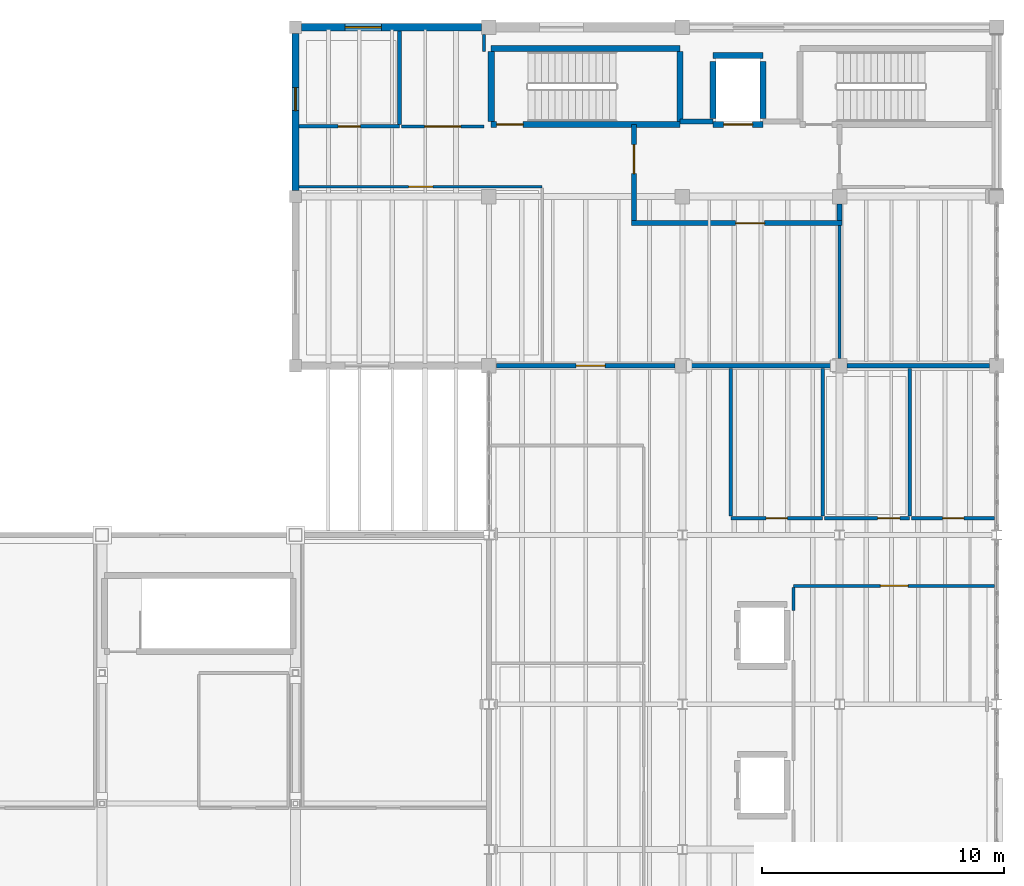
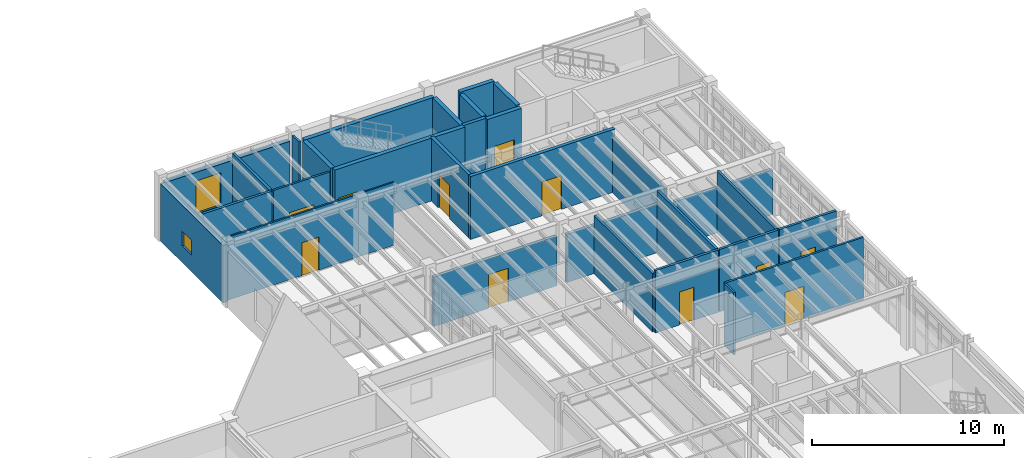
# One storey, part 68 of 78: 31 walls, 12 doors, 2 windows, 14 openings.
"""IFC4 building model written with IfcOpenShell, lengths in metres."""

from ifc_helpers import new_model, si_unit, direction, frame, frame_2d, origin, place, context, subcontext, project, spatial, rectangle, extrude, material, layer, layer_set, type_object, element, fill, save


model = new_model("IFC4")

# Units and contexts
model_context = context("Model", 3, precision=1e-05, world=origin(), true_north=direction((0.0, 1.0)))
body_context = subcontext(model_context, "Body", "Model", "MODEL_VIEW")
ifc_project = project(units=[si_unit("LENGTHUNIT", "METRE"), si_unit("AREAUNIT", "SQUARE_METRE"), si_unit("VOLUMEUNIT", "CUBIC_METRE"), si_unit("PLANEANGLEUNIT", "RADIAN"), si_unit("MASSUNIT", "GRAM", prefix="KILO"), si_unit("THERMODYNAMICTEMPERATUREUNIT", "KELVIN"), si_unit("POWERUNIT", "WATT")], contexts=[model_context])

# Site, building, storey
site_placement = place(None, origin())
site = spatial("IfcSite", under=ifc_project, at=site_placement, CompositionType="ELEMENT")
building_placement = place(site_placement, origin())
building = spatial("IfcBuilding", under=site, at=building_placement, Name="Zhenchuan Central Fire Station", CompositionType="ELEMENT")
storey_placement = place(building_placement, frame((0.0, 0.0, 5.85009765625)))
storey = spatial("IfcBuildingStorey", under=building, at=storey_placement, Name="L02", CompositionType="ELEMENT", Elevation=5.85009765625)

# Wall, opening, window
ifc_material_1 = material(Name="Sintered clay brick masonry MU15", Category="masonry")
ifc_layer_1 = layer(ifc_material_1, 0.300048828125, Name="Sintered clay brick masonry MU15", Category="masonry")
ifc_layer_set_1 = layer_set([ifc_layer_1], Name="Sintered clay brick masonry MU15")
wall_type_1 = type_object("IfcWallType", Name="EW-BRK300", PredefinedType="SOLIDWALL", material=ifc_layer_set_1)
wall_1_placement = place(storey_placement, frame((132.25, 56.5, 0.0), z_axis=(0.0, 0.0, 1.0), x_axis=(1.0, 0.0, 0.0)))
wall_1 = element("IfcWall", 1, at=wall_1_placement, inside=storey, type_object=wall_type_1, Name="EW-L02-V6N-0", PredefinedType="SOLIDWALL", context=body_context, shape_type="SweptSolid", body=[
    extrude(rectangle(XDim=7.449951171875, YDim=0.300048828125, at=frame_2d((3.72509765625, 0.0))), origin(), (0.0, 0.0, 1.0), 3.5439453125),
])
opening_1_placement = place(wall_1_placement, frame((1.800048828125, 0.0, 0.89990234375)))
opening_1 = element("IfcOpeningElement", 2, at=opening_1_placement, cuts=wall_1, Name="Opening W-34", PredefinedType="OPENING", context=body_context, shape_type="SweptSolid", body=[
    extrude(rectangle(XDim=1.5, YDim=2.10009765625, at=frame_2d((0.75, 1.050048828125))), frame((0.0, 0.159912109375, 0.0), z_axis=(0.0, -1.0, 0.0), x_axis=(1.0, 0.0, 0.0)), (0.0, 0.0, 1.0), 0.320068359375),
])
ifc_material_2 = material(Name="Laminated low-E double glazing in aluminium frame", Category="aluminium")
window_type_1 = type_object("IfcWindowType", Name="WN-34", PartitioningType="SINGLE_PANEL", PredefinedType="WINDOW", material=ifc_material_2)
window_1_placement = place(opening_1_placement, origin())
window_1 = element("IfcWindow", 3, at=window_1_placement, inside=storey, type_object=window_type_1, Name="Exterior Window 0106", OverallHeight=2.10009765625, OverallWidth=1.5, PartitioningType="SINGLE_PANEL", PredefinedType="WINDOW", context=body_context, shape_type="SweptSolid", body=[
    extrude(rectangle(XDim=1.5, YDim=2.10009765625, at=frame_2d((0.75, 1.050048828125))), frame((0.0, 0.030029296875, 0.0), z_axis=(0.0, -1.0, 0.0), x_axis=(1.0, 0.0, 0.0)), (0.0, 0.0, 1.0), 0.06005859375),
])
fill(opening_1, window_1)

wall_2_placement = place(storey_placement, frame((132.0, 49.75, 0.0), z_axis=(0.0, 0.0, 1.0), x_axis=(0.0, 1.0, 0.0)))
wall_2 = element("IfcWall", 4, at=wall_2_placement, inside=storey, type_object=wall_type_1, Name="EW-L02-V6W-1", PredefinedType="SOLIDWALL", context=body_context, shape_type="SweptSolid", body=[
    extrude(rectangle(XDim=6.5, YDim=0.300048828125, at=frame_2d((3.25, 0.0))), origin(), (0.0, 0.0, 1.0), 3.65380859375),
])
opening_2_placement = place(wall_2_placement, frame((3.300048828125, 0.0, 1.050048828125)))
opening_2 = element("IfcOpeningElement", 5, at=opening_2_placement, cuts=wall_2, Name="Opening W-04", PredefinedType="OPENING", context=body_context, shape_type="SweptSolid", body=[
    extrude(rectangle(XDim=0.949951171875, YDim=0.949951171875, at=frame_2d((0.47509765625, 0.47509765625))), frame((0.0, 0.159912109375, 0.0), z_axis=(0.0, -1.0, 0.0), x_axis=(1.0, 0.0, 0.0)), (0.0, 0.0, 1.0), 0.320068359375),
])
window_type_2 = type_object("IfcWindowType", Name="WN-04", PartitioningType="SINGLE_PANEL", PredefinedType="WINDOW", material=ifc_material_2)
window_2_placement = place(opening_2_placement, origin())
window_2 = element("IfcWindow", 6, at=window_2_placement, inside=storey, type_object=window_type_2, Name="Exterior Window 0111", OverallHeight=0.949951171875, OverallWidth=0.949951171875, PartitioningType="SINGLE_PANEL", PredefinedType="WINDOW", context=body_context, shape_type="SweptSolid", body=[
    extrude(rectangle(XDim=0.949951171875, YDim=0.949951171875, at=frame_2d((0.47509765625, 0.47509765625))), frame((0.0, 0.030029296875, 0.0), z_axis=(0.0, -1.0, 0.0), x_axis=(1.0, 0.0, 0.0)), (0.0, 0.0, 1.0), 0.06005859375),
])
fill(opening_2, window_2)

# Wall, opening, door
ifc_material_3 = material(Name="Autoclaved aerated concrete blockwork", Category="masonry")
ifc_layer_2 = layer(ifc_material_3, 0.14990234375, Name="Autoclaved aerated concrete blockwork", Category="masonry")
ifc_layer_set_2 = layer_set([ifc_layer_2], Name="Autoclaved aerated concrete blockwork")
wall_type_2 = type_object("IfcWallType", Name="IW-BLK150", PredefinedType="PARTITIONING", material=ifc_layer_set_2)
wall_3_placement = place(storey_placement, frame((150.0, 36.199951171875, 0.0), z_axis=(0.0, 0.0, 1.0), x_axis=(1.0, 0.0, 0.0)))
wall_3 = element("IfcWall", 7, at=wall_3_placement, inside=storey, type_object=wall_type_2, Name="Administration Male WC S Partition", PredefinedType="PARTITIONING", context=body_context, shape_type="SweptSolid", body=[
    extrude(rectangle(XDim=3.800048828125, YDim=0.14990234375, at=frame_2d((1.89990234375, 0.0))), origin(), (0.0, 0.0, 1.0), 3.9599609375),
])
opening_3_placement = place(wall_3_placement, frame((1.4599609375, 0.0, 0.0)))
opening_3 = element("IfcOpeningElement", 8, at=opening_3_placement, cuts=wall_3, Name="Opening D-146", PredefinedType="OPENING", context=body_context, shape_type="SweptSolid", body=[
    extrude(rectangle(XDim=0.8798828125, YDim=2.10009765625, at=frame_2d((0.43994140625, 1.050048828125))), frame((0.0, 0.0849609375, 0.0), z_axis=(0.0, -1.0, 0.0), x_axis=(1.0, 0.0, 0.0)), (0.0, 0.0, 1.0), 0.169921875),
])
ifc_material_4 = material(Name="Moisture-resistant washroom door")
door_type_1 = type_object("IfcDoorType", Name="ID-WC-088x210", OperationType="NOTDEFINED", PredefinedType="DOOR", material=ifc_material_4)
door_1_placement = place(opening_3_placement, origin())
door_1 = element("IfcDoor", 9, at=door_1_placement, inside=storey, type_object=door_type_1, Name="Administration Male WC Door", OperationType="SINGLE_SWING_RIGHT", OverallHeight=2.10009765625, OverallWidth=0.8798828125, PredefinedType="DOOR", context=body_context, shape_type="SweptSolid", body=[
    extrude(rectangle(XDim=0.8798828125, YDim=2.10009765625, at=frame_2d((0.43994140625, 1.050048828125))), frame((0.0, 0.02490234375, 0.0), z_axis=(0.0, -1.0, 0.0), x_axis=(1.0, 0.0, 0.0)), (0.0, 0.0, 1.0), 0.050048828125),
])
fill(opening_3, door_1)

# Walls
wall_4_placement = place(storey_placement, frame((150.0, 36.278076171875, 0.0), z_axis=(0.0, 0.0, 1.0), x_axis=(0.0, 1.0, 0.0)))
element("IfcWall", 10, at=wall_4_placement, inside=storey, type_object=wall_type_2, Name="Administration Male WC W Partition", PredefinedType="PARTITIONING", context=body_context, shape_type="SweptSolid", body=[
    extrude(rectangle(XDim=6.118896484375, YDim=0.14990234375, at=frame_2d((3.0595703125, 0.0))), origin(), (0.0, 0.0, 1.0), 3.7099609375),
])
wall_5_placement = place(storey_placement, frame((153.800048828125, 36.278076171875, 0.0), z_axis=(0.0, 0.0, 1.0), x_axis=(0.0, 1.0, 0.0)))
element("IfcWall", 11, at=wall_5_placement, inside=storey, type_object=wall_type_2, Name="Administration Male WC E Partition", PredefinedType="PARTITIONING", context=body_context, shape_type="SweptSolid", body=[
    extrude(rectangle(XDim=6.118896484375, YDim=0.14990234375, at=frame_2d((3.0595703125, 0.0))), origin(), (0.0, 0.0, 1.0), 3.9599609375),
])

# Wall, opening, door
wall_6_placement = place(storey_placement, frame((153.8779296875, 36.199951171875, 0.0), z_axis=(0.0, 0.0, 1.0), x_axis=(1.0, 0.0, 0.0)))
wall_6 = element("IfcWall", 12, at=wall_6_placement, inside=storey, type_object=wall_type_2, Name="Administration Female WC S Partition", PredefinedType="PARTITIONING", context=body_context, shape_type="SweptSolid", body=[
    extrude(rectangle(XDim=3.52197265625, YDim=0.14990234375, at=frame_2d((1.760986328125, 0.0))), origin(), (0.0, 0.0, 1.0), 3.9599609375),
])
opening_4_placement = place(wall_6_placement, frame((2.200927734375, 0.0, 0.0)))
opening_4 = element("IfcOpeningElement", 13, at=opening_4_placement, cuts=wall_6, Name="Opening D-147", PredefinedType="OPENING", context=body_context, shape_type="SweptSolid", body=[
    extrude(rectangle(XDim=0.919921875, YDim=2.10009765625, at=frame_2d((0.4599609375, 1.050048828125))), frame((0.0, 0.0849609375, 0.0), z_axis=(0.0, -1.0, 0.0), x_axis=(1.0, 0.0, 0.0)), (0.0, 0.0, 1.0), 0.169921875),
])
ifc_material_5 = material(Name="Moisture-resistant accessible WC door")
door_type_2 = type_object("IfcDoorType", Name="ID-WC-092x210", OperationType="NOTDEFINED", PredefinedType="DOOR", material=ifc_material_5)
door_2_placement = place(opening_4_placement, origin())
door_2 = element("IfcDoor", 14, at=door_2_placement, inside=storey, type_object=door_type_2, Name="Administration Female WC Door", OperationType="SINGLE_SWING_LEFT", OverallHeight=2.10009765625, OverallWidth=0.919921875, PredefinedType="DOOR", context=body_context, shape_type="SweptSolid", body=[
    extrude(rectangle(XDim=0.919921875, YDim=2.10009765625, at=frame_2d((0.4599609375, 1.050048828125))), frame((0.0, 0.02490234375, 0.0), z_axis=(0.0, -1.0, 0.0), x_axis=(1.0, 0.0, 0.0)), (0.0, 0.0, 1.0), 0.050048828125),
])
fill(opening_4, door_2)

# Wall
wall_7_placement = place(storey_placement, frame((157.39990234375, 36.278076171875, 0.0), z_axis=(0.0, 0.0, 1.0), x_axis=(0.0, 1.0, 0.0)))
element("IfcWall", 15, at=wall_7_placement, inside=storey, type_object=wall_type_2, Name="Administration Female WC E Partition", PredefinedType="PARTITIONING", context=body_context, shape_type="SweptSolid", body=[
    extrude(rectangle(XDim=6.118896484375, YDim=0.14990234375, at=frame_2d((3.0595703125, 0.0))), origin(), (0.0, 0.0, 1.0), 3.9599609375),
])

# Wall, opening, door
wall_8_placement = place(storey_placement, frame((157.47802734375, 36.199951171875, 0.0), z_axis=(0.0, 0.0, 1.0), x_axis=(1.0, 0.0, 0.0)))
wall_8 = element("IfcWall", 16, at=wall_8_placement, inside=storey, type_object=wall_type_2, Name="Administration Accessible WC S Partition", PredefinedType="PARTITIONING", context=body_context, shape_type="SweptSolid", body=[
    extrude(rectangle(XDim=3.43896484375, YDim=0.14990234375, at=frame_2d((1.719482421875, 0.0))), origin(), (0.0, 0.0, 1.0), 3.9599609375),
])
opening_5_placement = place(wall_8_placement, frame((1.279541015625, 0.0, 0.0)))
opening_5 = element("IfcOpeningElement", 17, at=opening_5_placement, cuts=wall_8, Name="Opening D-148", PredefinedType="OPENING", context=body_context, shape_type="SweptSolid", body=[
    extrude(rectangle(XDim=0.8798828125, YDim=2.10009765625, at=frame_2d((0.43994140625, 1.050048828125))), frame((0.0, 0.0849609375, 0.0), z_axis=(0.0, -1.0, 0.0), x_axis=(1.0, 0.0, 0.0)), (0.0, 0.0, 1.0), 0.169921875),
])
door_3_placement = place(opening_5_placement, origin())
door_3 = element("IfcDoor", 18, at=door_3_placement, inside=storey, type_object=door_type_1, Name="Administration Accessible WC Door", OperationType="SINGLE_SWING_RIGHT", OverallHeight=2.10009765625, OverallWidth=0.8798828125, PredefinedType="DOOR", context=body_context, shape_type="SweptSolid", body=[
    extrude(rectangle(XDim=0.8798828125, YDim=2.10009765625, at=frame_2d((0.43994140625, 1.050048828125))), frame((0.0, 0.02490234375, 0.0), z_axis=(0.0, -1.0, 0.0), x_axis=(1.0, 0.0, 0.0)), (0.0, 0.0, 1.0), 0.050048828125),
])
fill(opening_5, door_3)

wall_9_placement = place(storey_placement, frame((132.153076171875, 52.39990234375, 0.0), z_axis=(0.0, 0.0, 1.0), x_axis=(1.0, 0.0, 0.0)))
wall_9 = element("IfcWall", 19, at=wall_9_placement, inside=storey, type_object=wall_type_2, Name="Drill Tower Accessible WC L02 S Partition", PredefinedType="PARTITIONING", context=body_context, shape_type="SweptSolid", body=[
    extrude(rectangle(XDim=4.14697265625, YDim=0.14990234375, at=frame_2d((2.073486328125, 0.0))), origin(), (0.0, 0.0, 1.0), 4.0),
])
opening_6_placement = place(wall_9_placement, frame((1.613525390625, 0.0, 0.0)))
opening_6 = element("IfcOpeningElement", 20, at=opening_6_placement, cuts=wall_9, Name="Opening D-151", PredefinedType="OPENING", context=body_context, shape_type="SweptSolid", body=[
    extrude(rectangle(XDim=0.919921875, YDim=2.10009765625, at=frame_2d((0.4599609375, 1.050048828125))), frame((0.0, 0.0849609375, 0.0), z_axis=(0.0, -1.0, 0.0), x_axis=(1.0, 0.0, 0.0)), (0.0, 0.0, 1.0), 0.169921875),
])
door_4_placement = place(opening_6_placement, origin())
door_4 = element("IfcDoor", 21, at=door_4_placement, inside=storey, type_object=door_type_2, Name="Drill Tower Accessible WC L02 Door", OperationType="SINGLE_SWING_LEFT", OverallHeight=2.10009765625, OverallWidth=0.919921875, PredefinedType="DOOR", context=body_context, shape_type="SweptSolid", body=[
    extrude(rectangle(XDim=0.919921875, YDim=2.10009765625, at=frame_2d((0.4599609375, 1.050048828125))), frame((0.0, 0.02490234375, 0.0), z_axis=(0.0, -1.0, 0.0), x_axis=(1.0, 0.0, 0.0)), (0.0, 0.0, 1.0), 0.050048828125),
])
fill(opening_6, door_4)

# Wall
wall_10_placement = place(storey_placement, frame((136.300048828125, 52.47802734375, 0.0), z_axis=(0.0, 0.0, 1.0), x_axis=(0.0, 1.0, 0.0)))
element("IfcWall", 22, at=wall_10_placement, inside=storey, type_object=wall_type_2, Name="Drill Tower Accessible WC L02 E Partition", PredefinedType="PARTITIONING", context=body_context, shape_type="SweptSolid", body=[
    extrude(rectangle(XDim=3.868896484375, YDim=0.14990234375, at=frame_2d((1.9345703125, 0.0))), origin(), (0.0, 0.0, 1.0), 4.0),
])

# Wall, opening, door
ifc_layer_3 = layer(ifc_material_3, 0.199951171875, Name="Autoclaved aerated concrete blockwork", Category="masonry")
ifc_layer_set_3 = layer_set([ifc_layer_3], Name="Autoclaved aerated concrete blockwork")
wall_type_3 = type_object("IfcWallType", Name="IW-FIR200", PredefinedType="PARTITIONING", material=ifc_layer_set_3)
wall_11_placement = place(storey_placement, frame((140.302001953125, 42.5, 0.0), z_axis=(0.0, 0.0, 1.0), x_axis=(1.0, 0.0, 0.0)))
wall_11 = element("IfcWall", 23, at=wall_11_placement, inside=storey, type_object=wall_type_3, Name="L02 HQ-Tower Fire Compartment Wall X=140.0..148.0", PredefinedType="PARTITIONING", context=body_context, shape_type="SweptSolid", body=[
    extrude(rectangle(XDim=7.39599609375, YDim=0.199951171875, at=frame_2d((3.697998046875, 0.0))), origin(), (0.0, 0.0, 1.0), 3.15380859375),
])
opening_7_placement = place(wall_11_placement, frame((3.298095703125, 0.0, 0.0)))
opening_7 = element("IfcOpeningElement", 24, at=opening_7_placement, cuts=wall_11, Name="Opening D-045", PredefinedType="OPENING", context=body_context, shape_type="SweptSolid", body=[
    extrude(rectangle(XDim=1.199951171875, YDim=2.14990234375, at=frame_2d((0.60009765625, 1.074951171875))), frame((0.0, 0.10986328125, 0.0), z_axis=(0.0, -1.0, 0.0), x_axis=(1.0, 0.0, 0.0)), (0.0, 0.0, 1.0), 0.219970703125),
])
ifc_material_6 = material(Name="Smoke-sealed steel fire lobby door", Category="steel")
door_type_3 = type_object("IfcDoorType", Name="ID-FFL-120x215", OperationType="NOTDEFINED", PredefinedType="DOOR", material=ifc_material_6)
door_5_placement = place(opening_7_placement, origin())
door_5 = element("IfcDoor", 25, at=door_5_placement, inside=storey, type_object=door_type_3, Name="V2-V6 L02 Link Fire Door", OperationType="SINGLE_SWING_LEFT", OverallHeight=2.14990234375, OverallWidth=1.199951171875, PredefinedType="DOOR", context=body_context, shape_type="SweptSolid", body=[
    extrude(rectangle(XDim=1.199951171875, YDim=2.14990234375, at=frame_2d((0.60009765625, 1.074951171875))), frame((0.0, 0.02490234375, 0.0), z_axis=(0.0, -1.0, 0.0), x_axis=(1.0, 0.0, 0.0)), (0.0, 0.0, 1.0), 0.050048828125),
])
fill(opening_7, door_5)

# Walls
wall_12_placement = place(storey_placement, frame((148.302001953125, 42.5, 0.0), z_axis=(0.0, 0.0, 1.0), x_axis=(1.0, 0.0, 0.0)))
element("IfcWall", 26, at=wall_12_placement, inside=storey, type_object=wall_type_3, Name="L02 HQ-Tower Fire Compartment Wall X=148.0..154.5", PredefinedType="PARTITIONING", context=body_context, shape_type="SweptSolid", body=[
    extrude(rectangle(XDim=5.89599609375, YDim=0.199951171875, at=frame_2d((2.947998046875, 0.0))), origin(), (0.0, 0.0, 1.0), 3.053955078125),
])
wall_13_placement = place(storey_placement, frame((154.802001953125, 42.5, 0.0), z_axis=(0.0, 0.0, 1.0), x_axis=(1.0, 0.0, 0.0)))
element("IfcWall", 27, at=wall_13_placement, inside=storey, type_object=wall_type_3, Name="L02 HQ-Tower Fire Compartment Wall X=154.5..161.0", PredefinedType="PARTITIONING", context=body_context, shape_type="SweptSolid", body=[
    extrude(rectangle(XDim=5.89599609375, YDim=0.199951171875, at=frame_2d((2.947998046875, 0.0))), origin(), (0.0, 0.0, 1.0), 2.85400390625),
])
wall_14_placement = place(storey_placement, frame((147.908935546875, 52.60009765625, 0.0), z_axis=(0.0, 0.0, 1.0), x_axis=(1.0, 0.0, 0.0)))
element("IfcWall", 28, at=wall_14_placement, inside=storey, type_object=wall_type_3, Name="L02 Firefighting Lobby North-West Infill Wall", PredefinedType="PARTITIONING", context=body_context, shape_type="SweptSolid", body=[
    extrude(rectangle(XDim=1.362060546875, YDim=0.199951171875, at=frame_2d((0.68115234375, 0.0))), origin(), (0.0, 0.0, 1.0), 4.0),
])

# Wall, opening, door
wall_15_placement = place(storey_placement, frame((145.89990234375, 48.39990234375, 0.0), z_axis=(0.0, 0.0, 1.0), x_axis=(1.0, 0.0, 0.0)))
wall_15 = element("IfcWall", 29, at=wall_15_placement, inside=storey, type_object=wall_type_3, Name="L02 Firefighting Lift Lobby South Wall", PredefinedType="PARTITIONING", context=body_context, shape_type="SweptSolid", body=[
    extrude(rectangle(XDim=8.7001953125, YDim=0.199951171875, at=frame_2d((4.35009765625, 0.0))), origin(), (0.0, 0.0, 1.0), 4.0),
])
opening_8_placement = place(wall_15_placement, frame((4.300048828125, 0.0, 0.0)))
opening_8 = element("IfcOpeningElement", 30, at=opening_8_placement, cuts=wall_15, Name="Opening D-051", PredefinedType="OPENING", context=body_context, shape_type="SweptSolid", body=[
    extrude(rectangle(XDim=1.199951171875, YDim=2.14990234375, at=frame_2d((0.60009765625, 1.074951171875))), frame((0.0, 0.10986328125, 0.0), z_axis=(0.0, -1.0, 0.0), x_axis=(1.0, 0.0, 0.0)), (0.0, 0.0, 1.0), 0.219970703125),
])
door_6_placement = place(opening_8_placement, origin())
door_6 = element("IfcDoor", 31, at=door_6_placement, inside=storey, type_object=door_type_3, Name="L02 Firefighting Lift Lobby South Door", OperationType="SINGLE_SWING_LEFT", OverallHeight=2.14990234375, OverallWidth=1.199951171875, PredefinedType="DOOR", context=body_context, shape_type="SweptSolid", body=[
    extrude(rectangle(XDim=1.199951171875, YDim=2.14990234375, at=frame_2d((0.60009765625, 1.074951171875))), frame((0.0, 0.02490234375, 0.0), z_axis=(0.0, -1.0, 0.0), x_axis=(1.0, 0.0, 0.0)), (0.0, 0.0, 1.0), 0.050048828125),
])
fill(opening_8, door_6)

wall_16_placement = place(storey_placement, frame((146.0, 48.50390625, 0.0), z_axis=(0.0, 0.0, 1.0), x_axis=(0.0, 1.0, 0.0)))
wall_16 = element("IfcWall", 32, at=wall_16_placement, inside=storey, type_object=wall_type_3, Name="L02 Firefighting Lift Lobby West Wall", PredefinedType="PARTITIONING", context=body_context, shape_type="SweptSolid", body=[
    extrude(rectangle(XDim=3.967041015625, YDim=0.199951171875, at=frame_2d((1.9833984375, 0.0))), origin(), (0.0, 0.0, 1.0), 4.0),
])
opening_9_placement = place(wall_16_placement, frame((1.946044921875, 0.0, 0.0)))
opening_9 = element("IfcOpeningElement", 33, at=opening_9_placement, cuts=wall_16, Name="Opening D-052", PredefinedType="OPENING", context=body_context, shape_type="SweptSolid", body=[
    extrude(rectangle(XDim=1.199951171875, YDim=2.14990234375, at=frame_2d((0.60009765625, 1.074951171875))), frame((0.0, 0.10986328125, 0.0), z_axis=(0.0, -1.0, 0.0), x_axis=(1.0, 0.0, 0.0)), (0.0, 0.0, 1.0), 0.219970703125),
])
door_7_placement = place(opening_9_placement, origin())
door_7 = element("IfcDoor", 34, at=door_7_placement, inside=storey, type_object=door_type_3, Name="L02 Firefighting Lift Lobby West Door", OperationType="SINGLE_SWING_RIGHT", OverallHeight=2.14990234375, OverallWidth=1.199951171875, PredefinedType="DOOR", context=body_context, shape_type="SweptSolid", body=[
    extrude(rectangle(XDim=1.199951171875, YDim=2.14990234375, at=frame_2d((0.60009765625, 1.074951171875))), frame((0.0, 0.02490234375, 0.0), z_axis=(0.0, -1.0, 0.0), x_axis=(1.0, 0.0, 0.0)), (0.0, 0.0, 1.0), 0.050048828125),
])
fill(opening_9, door_7)

# Wall
wall_17_placement = place(storey_placement, frame((154.5, 48.50390625, 0.0), z_axis=(0.0, 0.0, 1.0), x_axis=(0.0, 1.0, 0.0)))
element("IfcWall", 35, at=wall_17_placement, inside=storey, type_object=wall_type_3, Name="L02 Firefighting Lift Lobby South-East Pier Wall", PredefinedType="PARTITIONING", context=body_context, shape_type="SweptSolid", body=[
    extrude(rectangle(XDim=0.692138671875, YDim=0.199951171875, at=frame_2d((0.34619140625, 0.0))), origin(), (0.0, 0.0, 1.0), 3.56396484375),
])

# Wall, opening, door
ifc_material_7 = material(Name="Gypsum plasterboard on steel studs", Category="gypsum")
ifc_layer_4 = layer(ifc_material_7, 0.10009765625, Name="Gypsum plasterboard on steel studs", Category="gypsum")
ifc_layer_set_4 = layer_set([ifc_layer_4], Name="Gypsum plasterboard on steel studs")
wall_type_4 = type_object("IfcWallType", Name="IW-GYP100", PredefinedType="PARTITIONING", material=ifc_layer_set_4)
wall_18_placement = place(storey_placement, frame((132.153076171875, 49.89990234375, 0.0), z_axis=(0.0, 0.0, 1.0), x_axis=(1.0, 0.0, 0.0)))
wall_18 = element("IfcWall", 36, at=wall_18_placement, inside=storey, type_object=wall_type_4, Name="Forcible Entry Training Room N Partition", PredefinedType="PARTITIONING", context=body_context, shape_type="SweptSolid", body=[
    extrude(rectangle(XDim=10.046875, YDim=0.10009765625, at=frame_2d((5.0234375, 0.0))), origin(), (0.0, 0.0, 1.0), 4.0),
])
opening_10_placement = place(wall_18_placement, frame((4.5234375, 0.0, 0.0)))
opening_10 = element("IfcOpeningElement", 37, at=opening_10_placement, cuts=wall_18, Name="Opening D-149", PredefinedType="OPENING", context=body_context, shape_type="SweptSolid", body=[
    extrude(rectangle(XDim=1.0, YDim=2.10009765625, at=frame_2d((0.5, 1.050048828125))), frame((0.0, 0.06005859375, 0.0), z_axis=(0.0, -1.0, 0.0), x_axis=(1.0, 0.0, 0.0)), (0.0, 0.0, 1.0), 0.1201171875),
])
ifc_material_8 = material(Name="Solid-core timber office door", Category="wood")
door_type_4 = type_object("IfcDoorType", Name="ID-OFF-100x210", OperationType="NOTDEFINED", PredefinedType="DOOR", material=ifc_material_8)
door_8_placement = place(opening_10_placement, origin())
door_8 = element("IfcDoor", 38, at=door_8_placement, inside=storey, type_object=door_type_4, Name="Forcible Entry Training Room Door", OperationType="SINGLE_SWING_LEFT", OverallHeight=2.10009765625, OverallWidth=1.0, PredefinedType="DOOR", context=body_context, shape_type="SweptSolid", body=[
    extrude(rectangle(XDim=1.0, YDim=2.10009765625, at=frame_2d((0.5, 1.050048828125))), frame((0.0, 0.02490234375, 0.0), z_axis=(0.0, -1.0, 0.0), x_axis=(1.0, 0.0, 0.0)), (0.0, 0.0, 1.0), 0.050048828125),
])
fill(opening_10, door_8)

ifc_layer_5 = layer(ifc_material_7, 0.1201171875, Name="Gypsum plasterboard on steel studs", Category="gypsum")
ifc_layer_set_5 = layer_set([ifc_layer_5], Name="Gypsum plasterboard on steel studs")
wall_type_5 = type_object("IfcWallType", Name="IW-GYP120", PredefinedType="PARTITIONING", material=ifc_layer_set_5)
wall_19_placement = place(storey_placement, frame((152.60009765625, 33.39990234375, 0.0), z_axis=(0.0, 0.0, 1.0), x_axis=(1.0, 0.0, 0.0)))
wall_19 = element("IfcWall", 39, at=wall_19_placement, inside=storey, type_object=wall_type_5, Name="Staff Briefing Room N Partition", PredefinedType="PARTITIONING", context=body_context, shape_type="SweptSolid", body=[
    extrude(rectangle(XDim=8.31689453125, YDim=0.1201171875, at=frame_2d((4.158447265625, 0.0))), origin(), (0.0, 0.0, 1.0), 3.9599609375),
])
opening_11_placement = place(wall_19_placement, frame((3.58349609375, 0.0, 0.0)))
opening_11 = element("IfcOpeningElement", 40, at=opening_11_placement, cuts=wall_19, Name="Opening D-145", PredefinedType="OPENING", context=body_context, shape_type="SweptSolid", body=[
    extrude(rectangle(XDim=1.14990234375, YDim=2.10009765625, at=frame_2d((0.574951171875, 1.050048828125))), frame((0.0, 0.070068359375, 0.0), z_axis=(0.0, -1.0, 0.0), x_axis=(1.0, 0.0, 0.0)), (0.0, 0.0, 1.0), 0.14013671875),
])
ifc_material_9 = material(Name="Glazed vision-panel classroom door")
door_type_5 = type_object("IfcDoorType", Name="ID-CLS-115x210", OperationType="NOTDEFINED", PredefinedType="DOOR", material=ifc_material_9)
door_9_placement = place(opening_11_placement, origin())
door_9 = element("IfcDoor", 41, at=door_9_placement, inside=storey, type_object=door_type_5, Name="Staff Briefing Room Door", OperationType="SINGLE_SWING_LEFT", OverallHeight=2.10009765625, OverallWidth=1.14990234375, PredefinedType="DOOR", context=body_context, shape_type="SweptSolid", body=[
    extrude(rectangle(XDim=1.14990234375, YDim=2.10009765625, at=frame_2d((0.574951171875, 1.050048828125))), frame((0.0, 0.02490234375, 0.0), z_axis=(0.0, -1.0, 0.0), x_axis=(1.0, 0.0, 0.0)), (0.0, 0.0, 1.0), 0.050048828125),
])
fill(opening_11, door_9)

# Walls
wall_20_placement = place(storey_placement, frame((152.60009765625, 32.3779296875, 0.0), z_axis=(0.0, 0.0, 1.0), x_axis=(0.0, 1.0, 0.0)))
element("IfcWall", 42, at=wall_20_placement, inside=storey, type_object=wall_type_5, Name="Staff Briefing Room W Partition 3", PredefinedType="PARTITIONING", context=body_context, shape_type="SweptSolid", body=[
    extrude(rectangle(XDim=0.958984375, YDim=0.1201171875, at=frame_2d((0.4794921875, 0.0))), origin(), (0.0, 0.0, 1.0), 3.9599609375),
])
wall_21_placement = place(storey_placement, frame((154.5, 42.802978515625, 0.0), z_axis=(0.0, 0.0, 1.0), x_axis=(0.0, 1.0, 0.0)))
element("IfcWall", 43, at=wall_21_placement, inside=storey, type_object=wall_type_5, Name="Window Ladder Bailout Chamber W Partition", PredefinedType="PARTITIONING", context=body_context, shape_type="SweptSolid", body=[
    extrude(rectangle(XDim=5.494140625, YDim=0.1201171875, at=frame_2d((2.7470703125, 0.0))), origin(), (0.0, 0.0, 1.0), 3.56396484375),
])

# Wall, opening, door
wall_22_placement = place(storey_placement, frame((136.3779296875, 52.39990234375, 0.0), z_axis=(0.0, 0.0, 1.0), x_axis=(1.0, 0.0, 0.0)))
wall_22 = element("IfcWall", 44, at=wall_22_placement, inside=storey, type_object=wall_type_5, Name="Drill Tower Cleaner Store L02 S Partition", PredefinedType="PARTITIONING", context=body_context, shape_type="SweptSolid", body=[
    extrude(rectangle(XDim=3.422119140625, YDim=0.1201171875, at=frame_2d((1.7109375, 0.0))), origin(), (0.0, 0.0, 1.0), 4.0),
])
opening_12_placement = place(wall_22_placement, frame((0.9609375, 0.0, 0.0)))
opening_12 = element("IfcOpeningElement", 45, at=opening_12_placement, cuts=wall_22, Name="Opening D-152", PredefinedType="OPENING", context=body_context, shape_type="SweptSolid", body=[
    extrude(rectangle(XDim=1.5, YDim=2.25, at=frame_2d((0.75, 1.125))), frame((0.0, 0.070068359375, 0.0), z_axis=(0.0, -1.0, 0.0), x_axis=(1.0, 0.0, 0.0)), (0.0, 0.0, 1.0), 0.14013671875),
])
ifc_material_10 = material(Name="Powder-coated steel workshop door", Category="steel")
door_type_6 = type_object("IfcDoorType", Name="ID-WKS-150x225", OperationType="NOTDEFINED", PredefinedType="DOOR", material=ifc_material_10)
door_10_placement = place(opening_12_placement, origin())
door_10 = element("IfcDoor", 46, at=door_10_placement, inside=storey, type_object=door_type_6, Name="Drill Tower Cleaner Store L02 Door", OperationType="SINGLE_SWING_RIGHT", OverallHeight=2.25, OverallWidth=1.5, PredefinedType="DOOR", context=body_context, shape_type="SweptSolid", body=[
    extrude(rectangle(XDim=1.5, YDim=2.25, at=frame_2d((0.75, 1.125))), frame((0.0, 0.02490234375, 0.0), z_axis=(0.0, -1.0, 0.0), x_axis=(1.0, 0.0, 0.0)), (0.0, 0.0, 1.0), 0.050048828125),
])
fill(opening_12, door_10)

# Wall
wall_23_placement = place(storey_placement, frame((139.800048828125, 55.5029296875, 0.0), z_axis=(0.0, 0.0, 1.0), x_axis=(0.0, 1.0, 0.0)))
element("IfcWall", 47, at=wall_23_placement, inside=storey, type_object=wall_type_5, Name="Drill Tower Cleaner Store L02 E Partition", PredefinedType="PARTITIONING", context=body_context, shape_type="SweptSolid", body=[
    extrude(rectangle(XDim=0.694091796875, YDim=0.1201171875, at=frame_2d((0.34716796875, 0.0))), origin(), (0.0, 0.0, 1.0), 4.0),
])

# Wall, opening, door
ifc_material_11 = material(Name="Concrete C40/50", Category="concrete")
ifc_layer_6 = layer(ifc_material_11, 0.25, Name="Concrete C40/50", Category="concrete")
ifc_layer_set_6 = layer_set([ifc_layer_6], Name="Concrete C40/50")
wall_type_6 = type_object("IfcWallType", Name="IW-SHR250", PredefinedType="SHEAR", material=ifc_layer_set_6)
wall_24_placement = place(storey_placement, frame((140.094970703125, 52.47509765625, 0.0), z_axis=(0.0, 0.0, 1.0), x_axis=(1.0, 0.0, 0.0)))
wall_24 = element("IfcWall", 48, at=wall_24_placement, inside=storey, type_object=wall_type_6, Name="ST-12 L02 South Core Wall", PredefinedType="SHEAR", context=body_context, shape_type="SweptSolid", body=[
    extrude(rectangle(XDim=7.81005859375, YDim=0.25, at=frame_2d((3.905029296875, 0.0))), origin(), (0.0, 0.0, 1.0), 4.0),
])
opening_13_placement = place(wall_24_placement, frame((0.219970703125, 0.0, 0.0)))
opening_13 = element("IfcOpeningElement", 49, at=opening_13_placement, cuts=wall_24, Name="Opening D-031", PredefinedType="OPENING", context=body_context, shape_type="SweptSolid", body=[
    extrude(rectangle(XDim=1.10009765625, YDim=2.14990234375, at=frame_2d((0.550048828125, 1.074951171875))), frame((0.0, 0.135009765625, 0.0), z_axis=(0.0, -1.0, 0.0), x_axis=(1.0, 0.0, 0.0)), (0.0, 0.0, 1.0), 0.27001953125),
])
ifc_material_12 = material(Name="Painted steel acoustic fire door", Category="steel")
door_type_7 = type_object("IfcDoorType", Name="ID-ST-110x215", OperationType="NOTDEFINED", PredefinedType="DOOR", material=ifc_material_12)
door_11_placement = place(opening_13_placement, frame((1.10009765625, 0.0, 0.0), z_axis=(0.0, 0.0, 1.0), x_axis=(-1.0, 0.0, 0.0)))
door_11 = element("IfcDoor", 50, at=door_11_placement, inside=storey, type_object=door_type_7, Name="ST-12 L02 Fire Door", OperationType="SINGLE_SWING_LEFT", OverallHeight=2.14990234375, OverallWidth=1.10009765625, PredefinedType="DOOR", context=body_context, shape_type="SweptSolid", body=[
    extrude(rectangle(XDim=1.10009765625, YDim=2.14990234375, at=frame_2d((0.550048828125, 1.074951171875))), frame((0.0, 0.02490234375, 0.0), z_axis=(0.0, -1.0, 0.0), x_axis=(1.0, 0.0, 0.0)), (0.0, 0.0, 1.0), 0.050048828125),
])
fill(opening_13, door_11)

# Walls
wall_25_placement = place(storey_placement, frame((140.094970703125, 55.625, 0.0), z_axis=(0.0, 0.0, 1.0), x_axis=(1.0, 0.0, 0.0)))
element("IfcWall", 51, at=wall_25_placement, inside=storey, type_object=wall_type_6, Name="ST-12 L02 North Core Wall", PredefinedType="SHEAR", context=body_context, shape_type="SweptSolid", body=[
    extrude(rectangle(XDim=7.81005859375, YDim=0.25, at=frame_2d((3.905029296875, 0.0))), origin(), (0.0, 0.0, 1.0), 4.0),
])
for number, where, z_axis, x_axis, name in (
    (52, (140.094970703125, 52.60009765625, 0.0), (0.0, 0.0, 1.0), (0.0, 1.0, 0.0), "ST-12 L02 West Core Wall"),
    (53, (147.905029296875, 52.60009765625, 0.0), (0.0, 0.0, 1.0), (0.0, 1.0, 0.0), "ST-12 L02 East Core Wall"),
):
    element("IfcWall", number, at=place(storey_placement, frame(where, z_axis=z_axis, x_axis=x_axis)), inside=storey, type_object=wall_type_6, Name=name, PredefinedType="SHEAR", context=body_context, shape_type="SweptSolid", body=[
        extrude(rectangle(XDim=2.89990234375, YDim=0.25, at=frame_2d((1.449951171875, 0.0))), origin(), (0.0, 0.0, 1.0), 4.0),
    ])

# Wall, opening, door
wall_26_placement = place(storey_placement, frame((149.27490234375, 52.47509765625, 0.0), z_axis=(0.0, 0.0, 1.0), x_axis=(1.0, 0.0, 0.0)))
wall_26 = element("IfcWall", 54, at=wall_26_placement, inside=storey, type_object=wall_type_6, Name="Lift FL-01 L02 South Shaft Wall", PredefinedType="SHEAR", context=body_context, shape_type="SweptSolid", body=[
    extrude(rectangle(XDim=2.050048828125, YDim=0.25, at=frame_2d((1.02490234375, 0.0))), origin(), (0.0, 0.0, 1.0), 4.0),
])
opening_14_placement = place(wall_26_placement, frame((0.425048828125, 0.0, 0.0)))
opening_14 = element("IfcOpeningElement", 55, at=opening_14_placement, cuts=wall_26, Name="Opening LD-002", PredefinedType="OPENING", context=body_context, shape_type="SweptSolid", body=[
    extrude(rectangle(XDim=1.199951171875, YDim=2.14990234375, at=frame_2d((0.60009765625, 1.074951171875))), frame((0.0, 0.135009765625, 0.0), z_axis=(0.0, -1.0, 0.0), x_axis=(1.0, 0.0, 0.0)), (0.0, 0.0, 1.0), 0.27001953125),
])
ifc_material_13 = material(Name="Brushed stainless steel sliding landing door", Category="steel")
door_type_8 = type_object("IfcDoorType", Name="ID-LD-120x215", OperationType="NOTDEFINED", PredefinedType="DOOR", material=ifc_material_13)
door_12_placement = place(opening_14_placement, origin())
door_12 = element("IfcDoor", 56, at=door_12_placement, inside=storey, type_object=door_type_8, Name="Lift FL-01 L02 Sliding Landing Door", OperationType="DOUBLE_DOOR_SLIDING", OverallHeight=2.14990234375, OverallWidth=1.199951171875, PredefinedType="DOOR", context=body_context, shape_type="SweptSolid", body=[
    extrude(rectangle(XDim=1.199951171875, YDim=2.14990234375, at=frame_2d((0.60009765625, 1.074951171875))), frame((0.0, 0.02490234375, 0.0), z_axis=(0.0, -1.0, 0.0), x_axis=(1.0, 0.0, 0.0)), (0.0, 0.0, 1.0), 0.050048828125),
])
fill(opening_14, door_12)

# Walls
wall_27_placement = place(storey_placement, frame((149.27490234375, 55.324951171875, 0.0), z_axis=(0.0, 0.0, 1.0), x_axis=(1.0, 0.0, 0.0)))
element("IfcWall", 57, at=wall_27_placement, inside=storey, type_object=wall_type_6, Name="Lift FL-01 L02 North Shaft Wall", PredefinedType="SHEAR", context=body_context, shape_type="SweptSolid", body=[
    extrude(rectangle(XDim=2.050048828125, YDim=0.25, at=frame_2d((1.02490234375, 0.0))), origin(), (0.0, 0.0, 1.0), 4.0),
])
for number, where, z_axis, x_axis, name in (
    (58, (149.27490234375, 52.72509765625, 0.0), (0.0, 0.0, 1.0), (0.0, 1.0, 0.0), "Lift FL-01 L02 West Shaft Wall"),
    (59, (151.324951171875, 52.72509765625, 0.0), (0.0, 0.0, 1.0), (0.0, 1.0, 0.0), "Lift FL-01 L02 East Shaft Wall"),
):
    element("IfcWall", number, at=place(storey_placement, frame(where, z_axis=z_axis, x_axis=x_axis)), inside=storey, type_object=wall_type_6, Name=name, PredefinedType="SHEAR", context=body_context, shape_type="SweptSolid", body=[
        extrude(rectangle(XDim=2.349853515625, YDim=0.25, at=frame_2d((1.1748046875, 0.0))), origin(), (0.0, 0.0, 1.0), 4.0),
    ])

save(model, "model.ifc")
